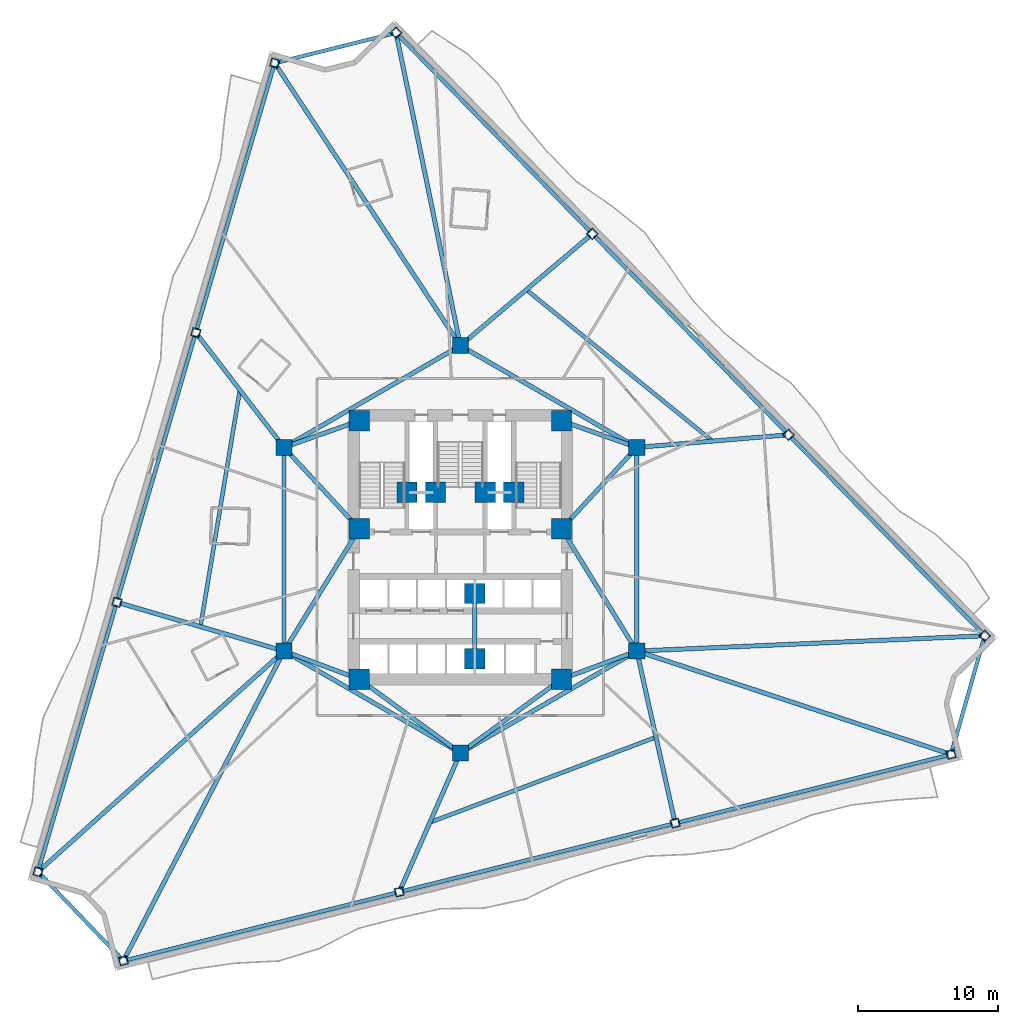
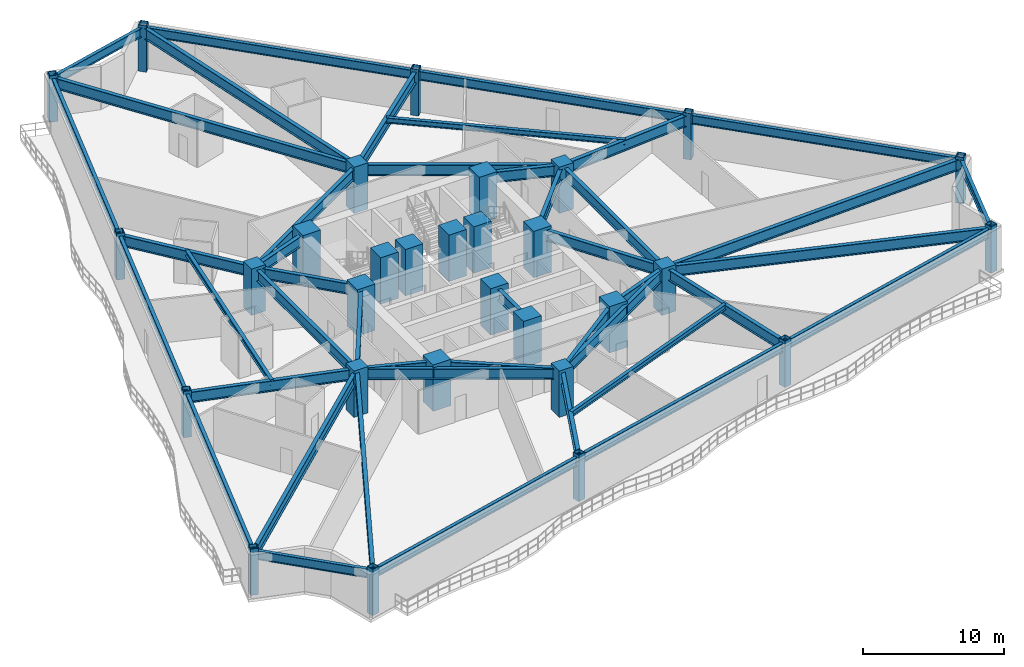
# One storey, part 1 of 10: 44 beams, 30 columns.
"""IFC4 building model written with IfcOpenShell, lengths in metres."""

from ifc_helpers import new_model, si_unit, direction, frame, origin, origin_2d, place, context, subcontext, project, spatial, rectangle, hollow_rectangle, i_section, extrude, material, material_profile, profile_set, type_object, element, save


model = new_model("IFC4")

# Units and contexts
model_context = context("Model", 3, precision=1e-05, world=origin(), true_north=direction((0.0, 1.0)))
body_context = subcontext(model_context, "Body", "Model", "MODEL_VIEW")
ifc_project = project(units=[si_unit("LENGTHUNIT", "METRE"), si_unit("AREAUNIT", "SQUARE_METRE"), si_unit("VOLUMEUNIT", "CUBIC_METRE"), si_unit("PLANEANGLEUNIT", "RADIAN"), si_unit("MASSUNIT", "GRAM", prefix="KILO")], contexts=[model_context])

# Site, building, storey
site_placement = place(None, origin())
site = spatial("IfcSite", under=ifc_project, at=site_placement, CompositionType="ELEMENT")
building_placement = place(site_placement, origin())
building = spatial("IfcBuilding", under=site, at=building_placement, Name="Apsidion Concourse Tower", CompositionType="ELEMENT")
storey_placement = place(building_placement, frame((0.0, 0.0, 115.0)))
storey = spatial("IfcBuildingStorey", under=building, at=storey_placement, Name="L26", CompositionType="ELEMENT", Elevation=115.0)

# Columns
ifc_material_1 = material(Name="Structural steel ASTM A572 Grade 50", Category="steel")
ifc_material_profile_1 = material_profile(ifc_material_1, hollow_rectangle(XDim=0.60009765625, YDim=0.60009765625, WallThickness=0.0400390625, at=origin_2d()), Name="BOX600X600X40")
ifc_profile_set_1 = profile_set([ifc_material_profile_1], Name="Structural steel ASTM A572 Grade 50")
column_type_1 = type_object("IfcColumnType", Name="COL-BOX-600", PredefinedType="COLUMN", material=ifc_profile_set_1)
for number, where, z_axis, x_axis, name in (
    (1, (-13.221435546875, 34.61669921875, 0.0), (0.0, 0.0, 1.0), (0.28083422227, 0.959756291775, 0.0), "L26 Rotated Perimeter Column PC01"),
    (2, (-18.839111328125, 15.422119140625, 0.0), (0.0, 0.0, 1.0), (0.28083422227, 0.959756291775, 0.0), "L26 Rotated Perimeter Column PC02"),
    (3, (-24.45703125, -3.772705078125, 0.0), (0.0, 0.0, 1.0), (0.28083422227, 0.959756291775, 0.0), "L26 Rotated Perimeter Column PC03"),
    (4, (-30.074951171875, -22.96728515625, 0.0), (0.0, 0.0, 1.0), (0.28083422227, 0.959756291775, 0.0), "L26 Rotated Perimeter Column PC04"),
    (5, (-23.9912109375, -29.302001953125, 0.0), (0.0, 0.0, 1.0), (0.970295726276, 0.2419218956, 0.0), "L26 Rotated Perimeter Column PC05"),
    (6, (-4.34765625, -24.404296875, 0.0), (0.0, 0.0, 1.0), (0.970295726276, 0.2419218956, 0.0), "L26 Rotated Perimeter Column PC06"),
    (7, (15.2958984375, -19.506591796875, 0.0), (0.0, 0.0, 1.0), (0.970295726276, 0.2419218956, 0.0), "L26 Rotated Perimeter Column PC07"),
    (8, (34.939208984375, -14.60888671875, 0.0), (0.0, 0.0, 1.0), (0.970295726276, 0.2419218956, 0.0), "L26 Rotated Perimeter Column PC08"),
    (9, (37.337158203125, -6.15966796875, 0.0), (0.0, 0.0, 1.0), (-0.698540186739, 0.715570826341, 0.0), "L26 Rotated Perimeter Column PC09"),
    (10, (23.365478515625, 8.15087890625, 0.0), (0.0, 0.0, 1.0), (-0.698540186739, 0.715570826341, 0.0), "L26 Rotated Perimeter Column PC10"),
    (11, (9.393798828125, 22.461181640625, 0.0), (0.0, 0.0, 1.0), (-0.698540186739, 0.715570826341, 0.0), "L26 Rotated Perimeter Column PC11"),
    (12, (-4.57763671875, 36.771728515625, 0.0), (0.0, 0.0, 1.0), (-0.698540186739, 0.715570826341, 0.0), "L26 Rotated Perimeter Column PC12"),
):
    element("IfcColumn", number, at=place(storey_placement, frame(where, z_axis=z_axis, x_axis=x_axis)), inside=storey, type_object=column_type_1, Name=name, PredefinedType="COLUMN", context=body_context, shape_type="SweptSolid", body=[
        extrude(hollow_rectangle(XDim=0.60009765625, YDim=0.60009765625, WallThickness=0.0400390625, at=origin_2d()), origin(), (0.0, 0.0, 1.0), 4.0),
    ])
ifc_material_2 = material(Name="Concrete C50/60", Category="concrete")
ifc_material_profile_2 = material_profile(ifc_material_2, rectangle(XDim=1.14990234375, YDim=1.14990234375, at=origin_2d()), Name="RC 1150x1150")
ifc_profile_set_2 = profile_set([ifc_material_profile_2], Name="Concrete C50/60")
column_type_2 = type_object("IfcColumnType", Name="COL-RC-1150", PredefinedType="COLUMN", material=ifc_profile_set_2)
for number, where, z_axis, x_axis, name in (
    (13, (-12.56005859375, -7.25, 0.0), (0.0, 0.0, 1.0), (1.0, 0.0, 0.0), "L26 Interior Spine Column IC1"),
    (14, (12.56005859375, -7.25, 0.0), (0.0, 0.0, 1.0), (1.0, 0.0, 0.0), "L26 Interior Spine Column IC2"),
    (15, (12.56005859375, 7.25, 0.0), (0.0, 0.0, 1.0), (1.0, 0.0, 0.0), "L26 Interior Spine Column IC3"),
    (16, (0.0, 14.5, 0.0), (0.0, 0.0, 1.0), (1.0, 0.0, 0.0), "L26 Interior Spine Column IC4"),
    (17, (-12.56005859375, 7.25, 0.0), (0.0, 0.0, 1.0), (1.0, 0.0, 0.0), "L26 Interior Spine Column IC5"),
    (18, (0.0, -14.5, 0.0), (0.0, 0.0, 1.0), (1.0, 0.0, 0.0), "L26 Interior Spine Column IC6"),
):
    element("IfcColumn", number, at=place(storey_placement, frame(where, z_axis=z_axis, x_axis=x_axis)), inside=storey, type_object=column_type_2, Name=name, PredefinedType="COLUMN", context=body_context, shape_type="SweptSolid", body=[
        extrude(rectangle(XDim=1.14990234375, YDim=1.14990234375, at=origin_2d()), origin(), (0.0, 0.0, 1.0), 4.0),
    ])
ifc_material_3 = material(Name="Concrete C60/75", Category="concrete")
ifc_material_profile_3 = material_profile(ifc_material_3, rectangle(XDim=1.449951171875, YDim=1.449951171875, at=origin_2d()), Name="RC 1450x1450")
ifc_profile_set_3 = profile_set([ifc_material_profile_3], Name="Concrete C60/75")
column_type_3 = type_object("IfcColumnType", Name="COL-RC-1450", PredefinedType="COLUMN", material=ifc_profile_set_3)
for number, where, z_axis, x_axis, name in (
    (19, (-7.199951171875, -9.25, 0.0), (0.0, 0.0, 1.0), (1.0, 0.0, 0.0), "L26 Core Super-Column SC1"),
    (20, (7.199951171875, -9.25, 0.0), (0.0, 0.0, 1.0), (1.0, 0.0, 0.0), "L26 Core Super-Column SC2"),
    (21, (7.199951171875, 1.449951171875, 0.0), (0.0, 0.0, 1.0), (1.0, 0.0, 0.0), "L26 Core Super-Column SC3"),
    (22, (7.199951171875, 9.14990234375, 0.0), (0.0, 0.0, 1.0), (1.0, 0.0, 0.0), "L26 Core Super-Column SC4"),
    (23, (-7.199951171875, 9.14990234375, 0.0), (0.0, 0.0, 1.0), (1.0, 0.0, 0.0), "L26 Core Super-Column SC5"),
    (24, (-7.199951171875, 1.449951171875, 0.0), (0.0, 0.0, 1.0), (1.0, 0.0, 0.0), "L26 Core Super-Column SC6"),
    (25, (-3.800048828125, 4.050048828125, 0.0), (0.0, 0.0, 1.0), (1.0, 0.0, 0.0), "L26 Core Super-Column CC1"),
    (26, (3.800048828125, 4.050048828125, 0.0), (0.0, 0.0, 1.0), (1.0, 0.0, 0.0), "L26 Core Super-Column CC2"),
    (27, (-1.77490234375, 4.050048828125, 0.0), (0.0, 0.0, 1.0), (1.0, 0.0, 0.0), "L26 Core Super-Column CC3"),
    (28, (1.77490234375, 4.050048828125, 0.0), (0.0, 0.0, 1.0), (1.0, 0.0, 0.0), "L26 Core Super-Column CC4"),
    (29, (1.02490234375, -3.14990234375, 0.0), (0.0, 0.0, 1.0), (1.0, 0.0, 0.0), "L26 Core Super-Column CC5"),
    (30, (1.02490234375, -7.800048828125, 0.0), (0.0, 0.0, 1.0), (1.0, 0.0, 0.0), "L26 Core Super-Column CC6"),
):
    element("IfcColumn", number, at=place(storey_placement, frame(where, z_axis=z_axis, x_axis=x_axis)), inside=storey, type_object=column_type_3, Name=name, PredefinedType="COLUMN", context=body_context, shape_type="SweptSolid", body=[
        extrude(rectangle(XDim=1.449951171875, YDim=1.449951171875, at=origin_2d()), origin(), (0.0, 0.0, 1.0), 4.0),
    ])

# Beams
ifc_material_4 = material(Name="Structural steel ASTM A992 Grade 50", Category="steel")
ifc_material_profile_4 = material_profile(ifc_material_4, i_section(OverallWidth=0.280029296875, OverallDepth=0.462890625, WebThickness=0.0107421875, FlangeThickness=0.017333984375, at=origin_2d()), Name="W18X76")
ifc_profile_set_4 = profile_set([ifc_material_profile_4], Name="Structural steel ASTM A992 Grade 50")
beam_type_1 = type_object("IfcBeamType", Name="BM-FL-W18M", PredefinedType="BEAM", material=ifc_profile_set_4)
beam_1_placement = place(storey_placement, frame((-15.69970703125, 11.3359375, 3.5185546875), z_axis=(-0.164452299767, -0.986385036941, 0.0), x_axis=(0.986385036941, -0.164452299767, 0.0)))
element("IfcBeam", 31, at=beam_1_placement, inside=storey, type_object=beam_type_1, Name="L26 Secondary Floor Beam SEC-F1", PredefinedType="BEAM", context=body_context, shape_type="SweptSolid", body=[
    extrude(i_section(OverallWidth=0.280029296875, OverallDepth=0.462890625, WebThickness=0.0107421875, FlangeThickness=0.017333984375, at=origin_2d()), origin(), (0.0, 0.0, 1.0), 17.079833984375),
])
beam_2_placement = place(storey_placement, frame((-2.173828125, -19.4521484375, 3.5185546875), z_axis=(0.935648218448, 0.352934004193, 0.0), x_axis=(-0.352934004193, 0.935648218448, 0.0)))
element("IfcBeam", 32, at=beam_2_placement, inside=storey, type_object=beam_type_1, Name="L26 Secondary Floor Beam SEC-F2", PredefinedType="BEAM", context=body_context, shape_type="SweptSolid", body=[
    extrude(i_section(OverallWidth=0.280029296875, OverallDepth=0.462890625, WebThickness=0.0107421875, FlangeThickness=0.017333984375, at=origin_2d()), origin(), (0.0, 0.0, 1.0), 17.209228515625),
])
beam_3_placement = place(storey_placement, frame((17.962646484375, 7.700439453125, 3.5185546875), z_axis=(-0.776058076577, 0.630661447831, 0.0), x_axis=(-0.630661447831, -0.776058076577, 0.0)))
element("IfcBeam", 33, at=beam_3_placement, inside=storey, type_object=beam_type_1, Name="L26 Secondary Floor Beam SEC-F3", PredefinedType="BEAM", context=body_context, shape_type="SweptSolid", body=[
    extrude(i_section(OverallWidth=0.280029296875, OverallDepth=0.462890625, WebThickness=0.0107421875, FlangeThickness=0.017333984375, at=origin_2d()), origin(), (0.0, 0.0, 1.0), 17.093505859375),
])
ifc_material_profile_5 = material_profile(ifc_material_4, i_section(OverallWidth=0.31005859375, OverallDepth=0.931884765625, WebThickness=0.02099609375, FlangeThickness=0.034423828125, at=origin_2d()), Name="W36X210")
ifc_profile_set_5 = profile_set([ifc_material_profile_5], Name="Structural steel ASTM A992 Grade 50")
beam_type_2 = type_object("IfcBeamType", Name="BM-G-W36", PredefinedType="USERDEFINED", material=ifc_profile_set_5)
beam_4_placement = place(storey_placement, frame((-12.185302734375, -7.389892578125, 3.283935546875), z_axis=(0.936913021145, -0.349562570664, 0.0), x_axis=(0.349562570664, 0.936913021145, 0.0)))
element("IfcBeam", 34, at=beam_4_placement, inside=storey, type_object=beam_type_2, Name="L26 Core Coupling Girder IC1-SC1", ObjectType="GIRDER", PredefinedType="USERDEFINED", context=body_context, shape_type="SweptSolid", body=[
    extrude(i_section(OverallWidth=0.31005859375, OverallDepth=0.931884765625, WebThickness=0.02099609375, FlangeThickness=0.034423828125, at=origin_2d()), origin(), (0.0, 0.0, 1.0), 4.921142578125),
])
beam_5_placement = place(storey_placement, frame((-12.35009765625, -6.909423828125, 3.283935546875), z_axis=(0.524524009763, 0.851395656074, 0.0), x_axis=(-0.851395656074, 0.524524009763, 0.0)))
element("IfcBeam", 35, at=beam_5_placement, inside=storey, type_object=beam_type_2, Name="L26 Core Coupling Girder IC1-SC6", ObjectType="GIRDER", PredefinedType="USERDEFINED", context=body_context, shape_type="SweptSolid", body=[
    extrude(i_section(OverallWidth=0.31005859375, OverallDepth=0.931884765625, WebThickness=0.02099609375, FlangeThickness=0.034423828125, at=origin_2d()), origin(), (0.0, 0.0, 1.0), 9.41845703125),
])
beam_6_placement = place(storey_placement, frame((12.185302734375, -7.389892578125, 3.283935546875), z_axis=(-0.936913021145, -0.349562570664, 0.0), x_axis=(0.349562570664, -0.936913021145, 0.0)))
element("IfcBeam", 36, at=beam_6_placement, inside=storey, type_object=beam_type_2, Name="L26 Core Coupling Girder IC2-SC2", ObjectType="GIRDER", PredefinedType="USERDEFINED", context=body_context, shape_type="SweptSolid", body=[
    extrude(i_section(OverallWidth=0.31005859375, OverallDepth=0.931884765625, WebThickness=0.02099609375, FlangeThickness=0.034423828125, at=origin_2d()), origin(), (0.0, 0.0, 1.0), 4.921142578125),
])
beam_7_placement = place(storey_placement, frame((12.35009765625, -6.909423828125, 3.283935546875), z_axis=(-0.524524009763, 0.851395656074, 0.0), x_axis=(-0.851395656074, -0.524524009763, 0.0)))
element("IfcBeam", 37, at=beam_7_placement, inside=storey, type_object=beam_type_2, Name="L26 Core Coupling Girder IC2-SC3", ObjectType="GIRDER", PredefinedType="USERDEFINED", context=body_context, shape_type="SweptSolid", body=[
    extrude(i_section(OverallWidth=0.31005859375, OverallDepth=0.931884765625, WebThickness=0.02099609375, FlangeThickness=0.034423828125, at=origin_2d()), origin(), (0.0, 0.0, 1.0), 9.41845703125),
])
beam_8_placement = place(storey_placement, frame((12.28857421875, 6.956298828125, 3.283935546875), z_axis=(-0.678712876106, -0.73440372535, 0.0), x_axis=(0.73440372535, -0.678712876106, 0.0)))
element("IfcBeam", 38, at=beam_8_placement, inside=storey, type_object=beam_type_2, Name="L26 Core Coupling Girder IC3-SC3", ObjectType="GIRDER", PredefinedType="USERDEFINED", context=body_context, shape_type="SweptSolid", body=[
    extrude(i_section(OverallWidth=0.31005859375, OverallDepth=0.931884765625, WebThickness=0.02099609375, FlangeThickness=0.034423828125, at=origin_2d()), origin(), (0.0, 0.0, 1.0), 7.097412109375),
])
beam_9_placement = place(storey_placement, frame((12.18310546875, 7.383544921875, 3.283935546875), z_axis=(-0.942533844539, 0.334110688094, 0.0), x_axis=(-0.334110688094, -0.942533844539, 0.0)))
element("IfcBeam", 39, at=beam_9_placement, inside=storey, type_object=beam_type_2, Name="L26 Core Coupling Girder IC3-SC4", ObjectType="GIRDER", PredefinedType="USERDEFINED", context=body_context, shape_type="SweptSolid", body=[
    extrude(i_section(OverallWidth=0.31005859375, OverallDepth=0.931884765625, WebThickness=0.02099609375, FlangeThickness=0.034423828125, at=origin_2d()), origin(), (0.0, 0.0, 1.0), 4.886962890625),
])
beam_10_placement = place(storey_placement, frame((-12.28857421875, 6.956298828125, 3.283935546875), z_axis=(0.678712876106, -0.73440372535, 0.0), x_axis=(0.73440372535, 0.678712876106, 0.0)))
element("IfcBeam", 40, at=beam_10_placement, inside=storey, type_object=beam_type_2, Name="L26 Core Coupling Girder IC5-SC6", ObjectType="GIRDER", PredefinedType="USERDEFINED", context=body_context, shape_type="SweptSolid", body=[
    extrude(i_section(OverallWidth=0.31005859375, OverallDepth=0.931884765625, WebThickness=0.02099609375, FlangeThickness=0.034423828125, at=origin_2d()), origin(), (0.0, 0.0, 1.0), 7.097412109375),
])
beam_11_placement = place(storey_placement, frame((-12.18310546875, 7.383544921875, 3.283935546875), z_axis=(0.942533844539, 0.334110688094, 0.0), x_axis=(-0.334110688094, 0.942533844539, 0.0)))
element("IfcBeam", 41, at=beam_11_placement, inside=storey, type_object=beam_type_2, Name="L26 Core Coupling Girder IC5-SC5", ObjectType="GIRDER", PredefinedType="USERDEFINED", context=body_context, shape_type="SweptSolid", body=[
    extrude(i_section(OverallWidth=0.31005859375, OverallDepth=0.931884765625, WebThickness=0.02099609375, FlangeThickness=0.034423828125, at=origin_2d()), origin(), (0.0, 0.0, 1.0), 4.886962890625),
])
for number, where, z_axis, x_axis, name in (
    (42, (-0.3232421875, -14.264404296875, 3.283935546875), (-0.807993498909, 0.589191399905, 0.0), (-0.589191399905, -0.807993498909, 0.0), "L26 Core Coupling Girder IC6-SC1"),
    (43, (0.3232421875, -14.264404296875, 3.283935546875), (0.807993498909, 0.589191399905, 0.0), (-0.589191399905, 0.807993498909, 0.0), "L26 Core Coupling Girder IC6-SC2"),
):
    element("IfcBeam", number, at=place(storey_placement, frame(where, z_axis=z_axis, x_axis=x_axis)), inside=storey, type_object=beam_type_2, Name=name, ObjectType="GIRDER", PredefinedType="USERDEFINED", context=body_context, shape_type="SweptSolid", body=[
        extrude(i_section(OverallWidth=0.31005859375, OverallDepth=0.931884765625, WebThickness=0.02099609375, FlangeThickness=0.034423828125, at=origin_2d()), origin(), (0.0, 0.0, 1.0), 8.11083984375),
    ])
beam_12_placement = place(storey_placement, frame((-12.56005859375, -6.85009765625, 3.283935546875), z_axis=(0.0, 1.0, 0.0), x_axis=(-1.0, 0.0, 0.0)))
element("IfcBeam", 44, at=beam_12_placement, inside=storey, type_object=beam_type_2, Name="L26 Core Coupling Girder IC1-IC5", ObjectType="GIRDER", PredefinedType="USERDEFINED", context=body_context, shape_type="SweptSolid", body=[
    extrude(i_section(OverallWidth=0.31005859375, OverallDepth=0.931884765625, WebThickness=0.02099609375, FlangeThickness=0.034423828125, at=origin_2d()), origin(), (0.0, 0.0, 1.0), 13.7001953125),
])
for number, where, z_axis, x_axis, name in (
    (45, (-12.213623046875, 7.449951171875, 3.283935546875), (0.866070471464, 0.499921932364, 0.0), (-0.499921932364, 0.866070471464, 0.0), "L26 Core Coupling Girder IC5-IC4"),
    (46, (0.346435546875, 14.300048828125, 3.283935546875), (0.866070471464, -0.499921932364, 0.0), (0.499921932364, 0.866070471464, 0.0), "L26 Core Coupling Girder IC4-IC3"),
):
    element("IfcBeam", number, at=place(storey_placement, frame(where, z_axis=z_axis, x_axis=x_axis)), inside=storey, type_object=beam_type_2, Name=name, ObjectType="GIRDER", PredefinedType="USERDEFINED", context=body_context, shape_type="SweptSolid", body=[
        extrude(i_section(OverallWidth=0.31005859375, OverallDepth=0.931884765625, WebThickness=0.02099609375, FlangeThickness=0.034423828125, at=origin_2d()), origin(), (0.0, 0.0, 1.0), 13.702392578125),
    ])
beam_13_placement = place(storey_placement, frame((12.56005859375, 6.85009765625, 3.283935546875), z_axis=(0.0, -1.0, 0.0), x_axis=(1.0, 0.0, 0.0)))
element("IfcBeam", 47, at=beam_13_placement, inside=storey, type_object=beam_type_2, Name="L26 Core Coupling Girder IC3-IC2", ObjectType="GIRDER", PredefinedType="USERDEFINED", context=body_context, shape_type="SweptSolid", body=[
    extrude(i_section(OverallWidth=0.31005859375, OverallDepth=0.931884765625, WebThickness=0.02099609375, FlangeThickness=0.034423828125, at=origin_2d()), origin(), (0.0, 0.0, 1.0), 13.7001953125),
])
for number, where, z_axis, x_axis, name in (
    (48, (12.213623046875, -7.449951171875, 3.283935546875), (-0.866070471464, -0.499921932364, 0.0), (0.499921932364, -0.866070471464, 0.0), "L26 Core Coupling Girder IC2-IC6"),
    (49, (-0.346435546875, -14.300048828125, 3.283935546875), (-0.866070471464, 0.499921932364, 0.0), (-0.499921932364, -0.866070471464, 0.0), "L26 Core Coupling Girder IC6-IC1"),
):
    element("IfcBeam", number, at=place(storey_placement, frame(where, z_axis=z_axis, x_axis=x_axis)), inside=storey, type_object=beam_type_2, Name=name, ObjectType="GIRDER", PredefinedType="USERDEFINED", context=body_context, shape_type="SweptSolid", body=[
        extrude(i_section(OverallWidth=0.31005859375, OverallDepth=0.931884765625, WebThickness=0.02099609375, FlangeThickness=0.034423828125, at=origin_2d()), origin(), (0.0, 0.0, 1.0), 13.702392578125),
    ])
beam_14_placement = place(storey_placement, frame((1.02490234375, -3.550048828125, 3.283935546875), z_axis=(0.0, -1.0, 0.0), x_axis=(1.0, 0.0, 0.0)))
element("IfcBeam", 50, at=beam_14_placement, inside=storey, type_object=beam_type_2, Name="L26 Core Coupling Girder CC5-CC6", ObjectType="GIRDER", PredefinedType="USERDEFINED", context=body_context, shape_type="SweptSolid", body=[
    extrude(i_section(OverallWidth=0.31005859375, OverallDepth=0.931884765625, WebThickness=0.02099609375, FlangeThickness=0.034423828125, at=origin_2d()), origin(), (0.0, 0.0, 1.0), 3.849853515625),
])
beam_15_placement = place(storey_placement, frame((-0.120849609375, 14.683837890625, 3.283935546875), z_axis=(-0.549231276492, 0.835670392513, 0.0), x_axis=(-0.835670392513, -0.549231276492, 0.0)))
element("IfcBeam", 51, at=beam_15_placement, inside=storey, type_object=beam_type_2, Name="L26 Radial Floor Girder RAD-01", ObjectType="GIRDER", PredefinedType="USERDEFINED", context=body_context, shape_type="SweptSolid", body=[
    extrude(i_section(OverallWidth=0.31005859375, OverallDepth=0.931884765625, WebThickness=0.02099609375, FlangeThickness=0.034423828125, at=origin_2d()), origin(), (0.0, 0.0, 1.0), 23.632568359375),
])
beam_16_placement = place(storey_placement, frame((-12.694091796875, 7.42431640625, 3.283935546875), z_axis=(-0.609271770486, 0.792961480583, 0.0), x_axis=(-0.792961480583, -0.609271770486, 0.0)))
element("IfcBeam", 52, at=beam_16_placement, inside=storey, type_object=beam_type_2, Name="L26 Radial Floor Girder RAD-02", ObjectType="GIRDER", PredefinedType="USERDEFINED", context=body_context, shape_type="SweptSolid", body=[
    extrude(i_section(OverallWidth=0.31005859375, OverallDepth=0.931884765625, WebThickness=0.02099609375, FlangeThickness=0.034423828125, at=origin_2d()), origin(), (0.0, 0.0, 1.0), 9.865966796875),
])
beam_17_placement = place(storey_placement, frame((-12.771240234375, -7.188232421875, 3.283935546875), z_axis=(-0.959842483231, 0.28053949345, 0.0), x_axis=(-0.28053949345, -0.959842483231, 0.0)))
element("IfcBeam", 53, at=beam_17_placement, inside=storey, type_object=beam_type_2, Name="L26 Radial Floor Girder RAD-03", ObjectType="GIRDER", PredefinedType="USERDEFINED", context=body_context, shape_type="SweptSolid", body=[
    extrude(i_section(OverallWidth=0.31005859375, OverallDepth=0.931884765625, WebThickness=0.02099609375, FlangeThickness=0.034423828125, at=origin_2d()), origin(), (0.0, 0.0, 1.0), 11.95458984375),
])
beam_18_placement = place(storey_placement, frame((-12.7236328125, -7.39697265625, 3.283935546875), z_axis=(-0.744271119318, -0.667877609259, 0.0), x_axis=(0.667877609259, -0.744271119318, 0.0)))
element("IfcBeam", 54, at=beam_18_placement, inside=storey, type_object=beam_type_2, Name="L26 Radial Floor Girder RAD-04", ObjectType="GIRDER", PredefinedType="USERDEFINED", context=body_context, shape_type="SweptSolid", body=[
    extrude(i_section(OverallWidth=0.31005859375, OverallDepth=0.931884765625, WebThickness=0.02099609375, FlangeThickness=0.034423828125, at=origin_2d()), origin(), (0.0, 0.0, 1.0), 23.093017578125),
])
beam_19_placement = place(storey_placement, frame((-12.6611328125, -7.4453125, 3.283935546875), z_axis=(-0.460218148247, -0.88780586618, 0.0), x_axis=(0.88780586618, -0.460218148247, 0.0)))
element("IfcBeam", 55, at=beam_19_placement, inside=storey, type_object=beam_type_2, Name="L26 Radial Floor Girder RAD-05", ObjectType="GIRDER", PredefinedType="USERDEFINED", context=body_context, shape_type="SweptSolid", body=[
    extrude(i_section(OverallWidth=0.31005859375, OverallDepth=0.931884765625, WebThickness=0.02099609375, FlangeThickness=0.034423828125, at=origin_2d()), origin(), (0.0, 0.0, 1.0), 24.398681640625),
])
beam_20_placement = place(storey_placement, frame((-0.08837890625, -14.701416015625, 3.283935546875), z_axis=(-0.401951572059, -0.915660927265, 0.0), x_axis=(0.915660927265, -0.401951572059, 0.0)))
element("IfcBeam", 56, at=beam_20_placement, inside=storey, type_object=beam_type_2, Name="L26 Radial Floor Girder RAD-06", ObjectType="GIRDER", PredefinedType="USERDEFINED", context=body_context, shape_type="SweptSolid", body=[
    extrude(i_section(OverallWidth=0.31005859375, OverallDepth=0.931884765625, WebThickness=0.02099609375, FlangeThickness=0.034423828125, at=origin_2d()), origin(), (0.0, 0.0, 1.0), 10.376708984375),
])
beam_21_placement = place(storey_placement, frame((12.60791015625, -7.464599609375, 3.283935546875), z_axis=(0.217841210103, -0.975984224863, 0.0), x_axis=(0.975984224863, 0.217841210103, 0.0)))
element("IfcBeam", 57, at=beam_21_placement, inside=storey, type_object=beam_type_2, Name="L26 Radial Floor Girder RAD-07", ObjectType="GIRDER", PredefinedType="USERDEFINED", context=body_context, shape_type="SweptSolid", body=[
    extrude(i_section(OverallWidth=0.31005859375, OverallDepth=0.931884765625, WebThickness=0.02099609375, FlangeThickness=0.034423828125, at=origin_2d()), origin(), (0.0, 0.0, 1.0), 12.118408203125),
])
beam_22_placement = place(storey_placement, frame((12.76904296875, -7.318603515625, 3.283935546875), z_axis=(0.949956513511, -0.312382173687, 0.0), x_axis=(0.312382173687, 0.949956513511, 0.0)))
element("IfcBeam", 58, at=beam_22_placement, inside=storey, type_object=beam_type_2, Name="L26 Radial Floor Girder RAD-08", ObjectType="GIRDER", PredefinedType="USERDEFINED", context=body_context, shape_type="SweptSolid", body=[
    extrude(i_section(OverallWidth=0.31005859375, OverallDepth=0.931884765625, WebThickness=0.02099609375, FlangeThickness=0.034423828125, at=origin_2d()), origin(), (0.0, 0.0, 1.0), 23.1181640625),
])
beam_23_placement = place(storey_placement, frame((12.77978515625, -7.240234375, 3.283935546875), z_axis=(0.999033044111, 0.043965631729, 0.0), x_axis=(-0.043965631729, 0.999033044111, 0.0)))
element("IfcBeam", 59, at=beam_23_placement, inside=storey, type_object=beam_type_2, Name="L26 Radial Floor Girder RAD-09", ObjectType="GIRDER", PredefinedType="USERDEFINED", context=body_context, shape_type="SweptSolid", body=[
    extrude(i_section(OverallWidth=0.31005859375, OverallDepth=0.931884765625, WebThickness=0.02099609375, FlangeThickness=0.034423828125, at=origin_2d()), origin(), (0.0, 0.0, 1.0), 24.36083984375),
])
beam_24_placement = place(storey_placement, frame((12.779296875, 7.268310546875, 3.283935546875), z_axis=(0.996543006218, 0.083078497563, 0.0), x_axis=(-0.083078497563, 0.996543006218, 0.0)))
element("IfcBeam", 60, at=beam_24_placement, inside=storey, type_object=beam_type_2, Name="L26 Radial Floor Girder RAD-10", ObjectType="GIRDER", PredefinedType="USERDEFINED", context=body_context, shape_type="SweptSolid", body=[
    extrude(i_section(OverallWidth=0.31005859375, OverallDepth=0.931884765625, WebThickness=0.02099609375, FlangeThickness=0.034423828125, at=origin_2d()), origin(), (0.0, 0.0, 1.0), 10.40283203125),
])
beam_25_placement = place(storey_placement, frame((0.167724609375, 14.64208984375, 3.283935546875), z_axis=(0.762877552184, 0.646542991899, 0.0), x_axis=(-0.646542991899, 0.762877552184, 0.0)))
element("IfcBeam", 61, at=beam_25_placement, inside=storey, type_object=beam_type_2, Name="L26 Radial Floor Girder RAD-11", ObjectType="GIRDER", PredefinedType="USERDEFINED", context=body_context, shape_type="SweptSolid", body=[
    extrude(i_section(OverallWidth=0.31005859375, OverallDepth=0.931884765625, WebThickness=0.02099609375, FlangeThickness=0.034423828125, at=origin_2d()), origin(), (0.0, 0.0, 1.0), 11.8740234375),
])
beam_26_placement = place(storey_placement, frame((-0.044189453125, 14.715576171875, 3.283935546875), z_axis=(-0.201337476768, 0.979521934644, 0.0), x_axis=(-0.979521934644, -0.201337476768, 0.0)))
element("IfcBeam", 62, at=beam_26_placement, inside=storey, type_object=beam_type_2, Name="L26 Radial Floor Girder RAD-12", ObjectType="GIRDER", PredefinedType="USERDEFINED", context=body_context, shape_type="SweptSolid", body=[
    extrude(i_section(OverallWidth=0.31005859375, OverallDepth=0.931884765625, WebThickness=0.02099609375, FlangeThickness=0.034423828125, at=origin_2d()), origin(), (0.0, 0.0, 1.0), 22.297119140625),
])
ifc_material_profile_6 = material_profile(ifc_material_4, i_section(OverallWidth=0.26806640625, OverallDepth=0.77001953125, WebThickness=0.015625, FlangeThickness=0.025390625, at=origin_2d()), Name="W30X132")
ifc_profile_set_6 = profile_set([ifc_material_profile_6], Name="Structural steel ASTM A992 Grade 50")
beam_type_3 = type_object("IfcBeamType", Name="BM-SP-W30", PredefinedType="SPANDREL", material=ifc_profile_set_6)
beam_27_placement = place(storey_placement, frame((-13.283203125, 34.405517578125, 3.364990234375), z_axis=(-0.280887536845, -0.959740689793, 0.0), x_axis=(0.959740689793, -0.280887536845, 0.0)))
element("IfcBeam", 63, at=beam_27_placement, inside=storey, type_object=beam_type_3, Name="L26 Perimeter Spandrel Girder SP-01", PredefinedType="SPANDREL", context=body_context, shape_type="SweptSolid", body=[
    extrude(i_section(OverallWidth=0.26806640625, OverallDepth=0.77001953125, WebThickness=0.015625, FlangeThickness=0.025390625, at=origin_2d()), origin(), (0.0, 0.0, 1.0), 19.559814453125),
])
beam_28_placement = place(storey_placement, frame((-18.90087890625, 15.2109375, 3.364990234375), z_axis=(-0.28089903368, -0.959737324937, 0.0), x_axis=(0.959737324937, -0.28089903368, 0.0)))
element("IfcBeam", 64, at=beam_28_placement, inside=storey, type_object=beam_type_3, Name="L26 Perimeter Spandrel Girder SP-02", PredefinedType="SPANDREL", context=body_context, shape_type="SweptSolid", body=[
    extrude(i_section(OverallWidth=0.26806640625, OverallDepth=0.77001953125, WebThickness=0.015625, FlangeThickness=0.025390625, at=origin_2d()), origin(), (0.0, 0.0, 1.0), 19.56005859375),
])
beam_29_placement = place(storey_placement, frame((-24.518798828125, -3.98388671875, 3.364990234375), z_axis=(-0.280902398632, -0.959736340066, 0.0), x_axis=(0.959736340066, -0.280902398632, 0.0)))
element("IfcBeam", 65, at=beam_29_placement, inside=storey, type_object=beam_type_3, Name="L26 Perimeter Spandrel Girder SP-03", PredefinedType="SPANDREL", context=body_context, shape_type="SweptSolid", body=[
    extrude(i_section(OverallWidth=0.26806640625, OverallDepth=0.77001953125, WebThickness=0.015625, FlangeThickness=0.025390625, at=origin_2d()), origin(), (0.0, 0.0, 1.0), 19.559814453125),
])
beam_30_placement = place(storey_placement, frame((-29.922607421875, -23.1259765625, 3.364990234375), z_axis=(0.692682269789, -0.721242866946, 0.0), x_axis=(0.721242866946, 0.692682269789, 0.0)))
element("IfcBeam", 66, at=beam_30_placement, inside=storey, type_object=beam_type_3, Name="L26 Perimeter Spandrel Girder SP-04", PredefinedType="SPANDREL", context=body_context, shape_type="SweptSolid", body=[
    extrude(i_section(OverallWidth=0.26806640625, OverallDepth=0.77001953125, WebThickness=0.015625, FlangeThickness=0.025390625, at=origin_2d()), origin(), (0.0, 0.0, 1.0), 8.343017578125),
])
beam_31_placement = place(storey_placement, frame((-23.777587890625, -29.248779296875, 3.364990234375), z_axis=(0.970295310837, 0.24192356183, 0.0), x_axis=(-0.24192356183, 0.970295310837, 0.0)))
element("IfcBeam", 67, at=beam_31_placement, inside=storey, type_object=beam_type_3, Name="L26 Perimeter Spandrel Girder SP-05", PredefinedType="SPANDREL", context=body_context, shape_type="SweptSolid", body=[
    extrude(i_section(OverallWidth=0.26806640625, OverallDepth=0.77001953125, WebThickness=0.015625, FlangeThickness=0.025390625, at=origin_2d()), origin(), (0.0, 0.0, 1.0), 19.804931640625),
])
beam_32_placement = place(storey_placement, frame((-4.134033203125, -24.35107421875, 3.364990234375), z_axis=(0.970294589343, 0.241926455544, 0.0), x_axis=(-0.241926455544, 0.970294589343, 0.0)))
element("IfcBeam", 68, at=beam_32_placement, inside=storey, type_object=beam_type_3, Name="L26 Perimeter Spandrel Girder SP-06", PredefinedType="SPANDREL", context=body_context, shape_type="SweptSolid", body=[
    extrude(i_section(OverallWidth=0.26806640625, OverallDepth=0.77001953125, WebThickness=0.015625, FlangeThickness=0.025390625, at=origin_2d()), origin(), (0.0, 0.0, 1.0), 19.8046875),
])
beam_33_placement = place(storey_placement, frame((15.50927734375, -19.453369140625, 3.364990234375), z_axis=(0.970295310837, 0.24192356183, 0.0), x_axis=(-0.24192356183, 0.970295310837, 0.0)))
element("IfcBeam", 69, at=beam_33_placement, inside=storey, type_object=beam_type_3, Name="L26 Perimeter Spandrel Girder SP-07", PredefinedType="SPANDREL", context=body_context, shape_type="SweptSolid", body=[
    extrude(i_section(OverallWidth=0.26806640625, OverallDepth=0.77001953125, WebThickness=0.015625, FlangeThickness=0.025390625, at=origin_2d()), origin(), (0.0, 0.0, 1.0), 19.804931640625),
])
beam_34_placement = place(storey_placement, frame((34.99951171875, -14.397216796875, 3.364990234375), z_axis=(0.272993072399, 0.962015999047, 0.0), x_axis=(-0.962015999047, 0.272993072399, 0.0)))
element("IfcBeam", 70, at=beam_34_placement, inside=storey, type_object=beam_type_3, Name="L26 Perimeter Spandrel Girder SP-08", PredefinedType="SPANDREL", context=body_context, shape_type="SweptSolid", body=[
    extrude(i_section(OverallWidth=0.26806640625, OverallDepth=0.77001953125, WebThickness=0.015625, FlangeThickness=0.025390625, at=origin_2d()), origin(), (0.0, 0.0, 1.0), 8.343017578125),
])
beam_35_placement = place(storey_placement, frame((37.183349609375, -6.002197265625, 3.364990234375), z_axis=(-0.698580853564, 0.715531125133, 0.0), x_axis=(-0.715531125133, -0.698580853564, 0.0)))
element("IfcBeam", 71, at=beam_35_placement, inside=storey, type_object=beam_type_3, Name="L26 Perimeter Spandrel Girder SP-09", PredefinedType="SPANDREL", context=body_context, shape_type="SweptSolid", body=[
    extrude(i_section(OverallWidth=0.26806640625, OverallDepth=0.77001953125, WebThickness=0.015625, FlangeThickness=0.025390625, at=origin_2d()), origin(), (0.0, 0.0, 1.0), 19.559814453125),
])
beam_36_placement = place(storey_placement, frame((23.2119140625, 8.30810546875, 3.364990234375), z_axis=(-0.698581004946, 0.715530977337, 0.0), x_axis=(-0.715530977337, -0.698581004946, 0.0)))
element("IfcBeam", 72, at=beam_36_placement, inside=storey, type_object=beam_type_3, Name="L26 Perimeter Spandrel Girder SP-10", PredefinedType="SPANDREL", context=body_context, shape_type="SweptSolid", body=[
    extrude(i_section(OverallWidth=0.26806640625, OverallDepth=0.77001953125, WebThickness=0.015625, FlangeThickness=0.025390625, at=origin_2d()), origin(), (0.0, 0.0, 1.0), 19.56005859375),
])
beam_37_placement = place(storey_placement, frame((9.240234375, 22.61865234375, 3.364990234375), z_axis=(-0.698587243968, 0.715524886056, 0.0), x_axis=(-0.715524886056, -0.698587243968, 0.0)))
element("IfcBeam", 73, at=beam_37_placement, inside=storey, type_object=beam_type_3, Name="L26 Perimeter Spandrel Girder SP-11", PredefinedType="SPANDREL", context=body_context, shape_type="SweptSolid", body=[
    extrude(i_section(OverallWidth=0.26806640625, OverallDepth=0.77001953125, WebThickness=0.015625, FlangeThickness=0.025390625, at=origin_2d()), origin(), (0.0, 0.0, 1.0), 19.559814453125),
])
beam_38_placement = place(storey_placement, frame((-4.791259765625, 36.718505859375, 3.364990234375), z_axis=(-0.970296632691, -0.241918260137, 0.0), x_axis=(0.241918260137, -0.970296632691, 0.0)))
element("IfcBeam", 74, at=beam_38_placement, inside=storey, type_object=beam_type_3, Name="L26 Perimeter Spandrel Girder SP-12", PredefinedType="SPANDREL", context=body_context, shape_type="SweptSolid", body=[
    extrude(i_section(OverallWidth=0.26806640625, OverallDepth=0.77001953125, WebThickness=0.015625, FlangeThickness=0.025390625, at=origin_2d()), origin(), (0.0, 0.0, 1.0), 8.468017578125),
])

save(model, "model.ifc")
